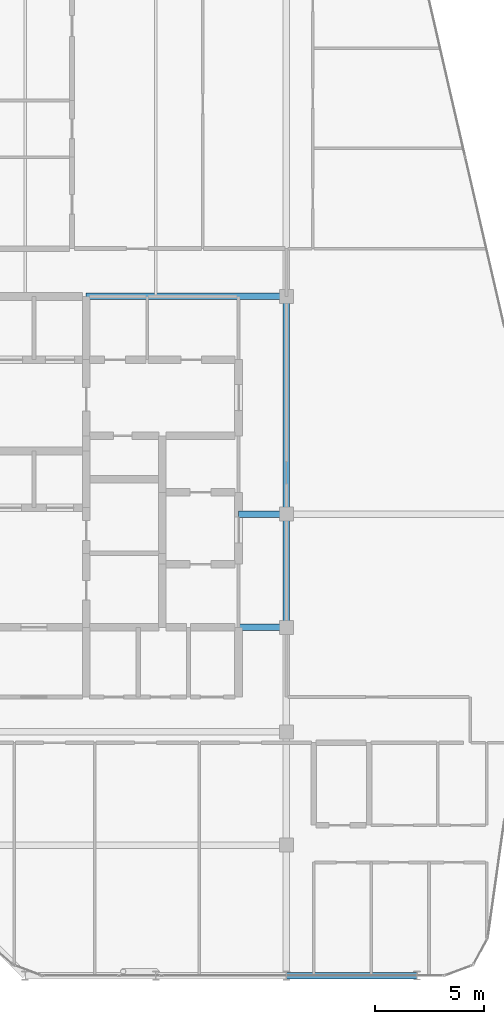
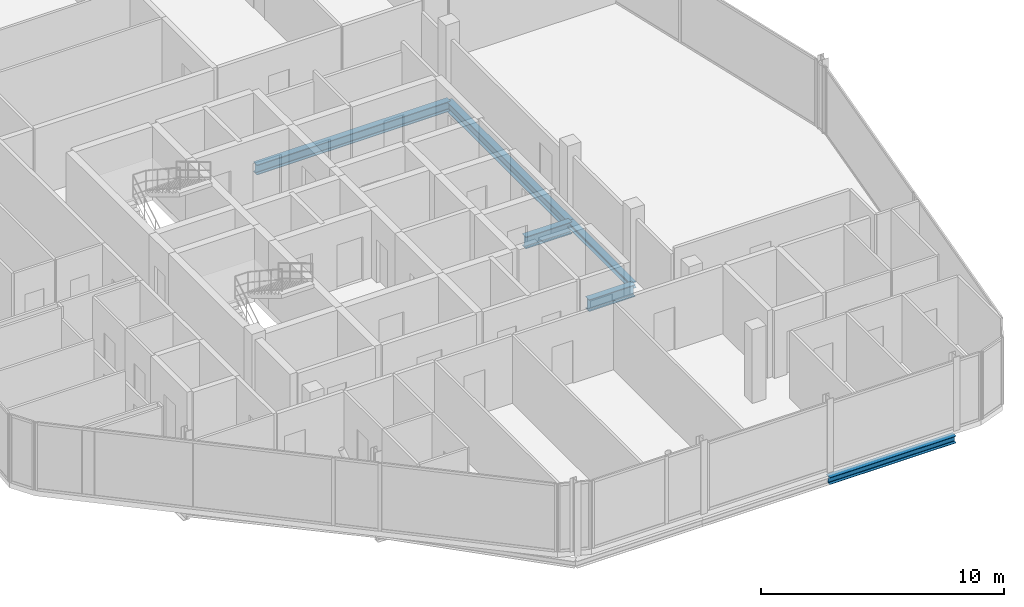
# One storey, part 11 of 27: 6 beams.
"""IFC4 building model written with IfcOpenShell, lengths in metres."""

from ifc_helpers import new_model, si_unit, direction, frame, origin, origin_2d, place, context, subcontext, project, spatial, i_section, extrude, material, material_profile, profile_set, type_object, element, save


model = new_model("IFC4")

# Units and contexts
model_context = context("Model", 3, precision=1e-05, world=origin(), true_north=direction((0.0, 1.0)))
body_context = subcontext(model_context, "Body", "Model", "MODEL_VIEW")
ifc_project = project(units=[si_unit("LENGTHUNIT", "METRE"), si_unit("AREAUNIT", "SQUARE_METRE"), si_unit("VOLUMEUNIT", "CUBIC_METRE"), si_unit("PLANEANGLEUNIT", "RADIAN"), si_unit("MASSUNIT", "GRAM", prefix="KILO")], contexts=[model_context])

# Site, building, storey
site_placement = place(None, origin())
site = spatial("IfcSite", under=ifc_project, at=site_placement, CompositionType="ELEMENT")
building_placement = place(site_placement, origin())
building = spatial("IfcBuilding", under=site, at=building_placement, Name="Keshet Zoharim Tower", CompositionType="ELEMENT")
storey_placement = place(building_placement, frame((0.0, 0.0, 307.300048828125)))
storey = spatial("IfcBuildingStorey", under=building, at=storey_placement, Name="L77", CompositionType="ELEMENT", Elevation=307.300048828125)

# Beams
ifc_material = material(Name="Steel S355", Category="steel")
ifc_material_profile_1 = material_profile(ifc_material, i_section(OverallWidth=0.300048828125, OverallDepth=0.60009765625, WebThickness=0.015380859375, FlangeThickness=0.030029296875, FilletRadius=0.027099609375, at=origin_2d()), Name="HEB600")
ifc_profile_set_1 = profile_set([ifc_material_profile_1], Name="Steel S355")
beam_type_1 = type_object("IfcBeamType", Name="BM-CLK-HB600", PredefinedType="BEAM", material=ifc_profile_set_1)
for number, where, z_axis, x_axis, name in (
    (1, (30.800048828125, 22.699951171875, -0.610107421875), (1.0, 0.0, 0.0), (0.0, 1.0, 0.0), "L77 Core Wall Link Girder 01"),
    (2, (30.800048828125, 27.89990234375, -0.610107421875), (1.0, 0.0, 0.0), (0.0, 1.0, 0.0), "L77 Core Wall Link Girder 02"),
):
    element("IfcBeam", number, at=place(storey_placement, frame(where, z_axis=z_axis, x_axis=x_axis)), inside=storey, type_object=beam_type_1, Name=name, PredefinedType="BEAM", context=body_context, shape_type="SweptSolid", body=[
        extrude(i_section(OverallWidth=0.300048828125, OverallDepth=0.60009765625, WebThickness=0.015380859375, FlangeThickness=0.030029296875, FilletRadius=0.027099609375, at=origin_2d()), origin(), (0.0, 0.0, 1.0), 2.199951171875),
    ])
ifc_material_profile_2 = material_profile(ifc_material, i_section(OverallWidth=0.300048828125, OverallDepth=0.5, WebThickness=0.014404296875, FlangeThickness=0.028076171875, FilletRadius=0.027099609375, at=origin_2d()), Name="HEB500")
ifc_profile_set_2 = profile_set([ifc_material_profile_2], Name="Steel S355")
beam_type_2 = type_object("IfcBeamType", Name="BM-MED-HB500", PredefinedType="BEAM", material=ifc_profile_set_2)
beam_1_placement = place(storey_placement, frame((23.800048828125, 37.89990234375, -0.56005859375), z_axis=(1.0, 0.0, 0.0), x_axis=(0.0, 1.0, 0.0)))
element("IfcBeam", 3, at=beam_1_placement, inside=storey, type_object=beam_type_2, Name="L77 Primary Girder X-009", PredefinedType="BEAM", context=body_context, shape_type="SweptSolid", body=[
    extrude(i_section(OverallWidth=0.300048828125, OverallDepth=0.5, WebThickness=0.014404296875, FlangeThickness=0.028076171875, FilletRadius=0.027099609375, at=origin_2d()), origin(), (0.0, 0.0, 1.0), 9.199951171875),
])
beam_2_placement = place(storey_placement, frame((33.0, 27.89990234375, -0.56005859375), z_axis=(0.0, 1.0, 0.0), x_axis=(-1.0, 0.0, 0.0)))
element("IfcBeam", 4, at=beam_2_placement, inside=storey, type_object=beam_type_2, Name="L77 Primary Girder Y-008", PredefinedType="BEAM", context=body_context, shape_type="SweptSolid", body=[
    extrude(i_section(OverallWidth=0.300048828125, OverallDepth=0.5, WebThickness=0.014404296875, FlangeThickness=0.028076171875, FilletRadius=0.027099609375, at=origin_2d()), origin(), (0.0, 0.0, 1.0), 10.0),
])
ifc_material_profile_3 = material_profile(ifc_material, i_section(OverallWidth=0.300048828125, OverallDepth=0.2900390625, WebThickness=0.008544921875, FlangeThickness=0.013916015625, FilletRadius=0.027099609375, at=origin_2d()), Name="HEA300")
ifc_profile_set_3 = profile_set([ifc_material_profile_3], Name="Steel S355")
beam_type_3 = type_object("IfcBeamType", Name="BM-PRI-HA300", PredefinedType="BEAM", material=ifc_profile_set_3)
beam_3_placement = place(storey_placement, frame((33.0, 22.699951171875, -0.455078125), z_axis=(0.0, 1.0, 0.0), x_axis=(-1.0, 0.0, 0.0)))
element("IfcBeam", 5, at=beam_3_placement, inside=storey, type_object=beam_type_3, Name="L77 Primary Girder Y-007", PredefinedType="BEAM", context=body_context, shape_type="SweptSolid", body=[
    extrude(i_section(OverallWidth=0.300048828125, OverallDepth=0.2900390625, WebThickness=0.008544921875, FlangeThickness=0.013916015625, FilletRadius=0.027099609375, at=origin_2d()), origin(), (0.0, 0.0, 1.0), 5.199951171875),
])
ifc_material_profile_4 = material_profile(ifc_material, i_section(OverallWidth=0.300048828125, OverallDepth=0.35009765625, WebThickness=0.010009765625, FlangeThickness=0.017578125, FilletRadius=0.027099609375, at=origin_2d()), Name="HEA360")
ifc_profile_set_4 = profile_set([ifc_material_profile_4], Name="Steel S355")
beam_type_4 = type_object("IfcBeamType", Name="BM-PRI-HA360", PredefinedType="BEAM", material=ifc_profile_set_4)
beam_4_placement = place(storey_placement, frame((33.0, 6.699951171875, -0.485107421875), z_axis=(1.0, 0.0, 0.0), x_axis=(0.0, 1.0, 0.0)))
element("IfcBeam", 6, at=beam_4_placement, inside=storey, type_object=beam_type_4, Name="L77 Primary Girder X-003", PredefinedType="BEAM", context=body_context, shape_type="SweptSolid", body=[
    extrude(i_section(OverallWidth=0.300048828125, OverallDepth=0.35009765625, WebThickness=0.010009765625, FlangeThickness=0.017578125, FilletRadius=0.027099609375, at=origin_2d()), origin(), (0.0, 0.0, 1.0), 6.0),
])

save(model, "model.ifc")
